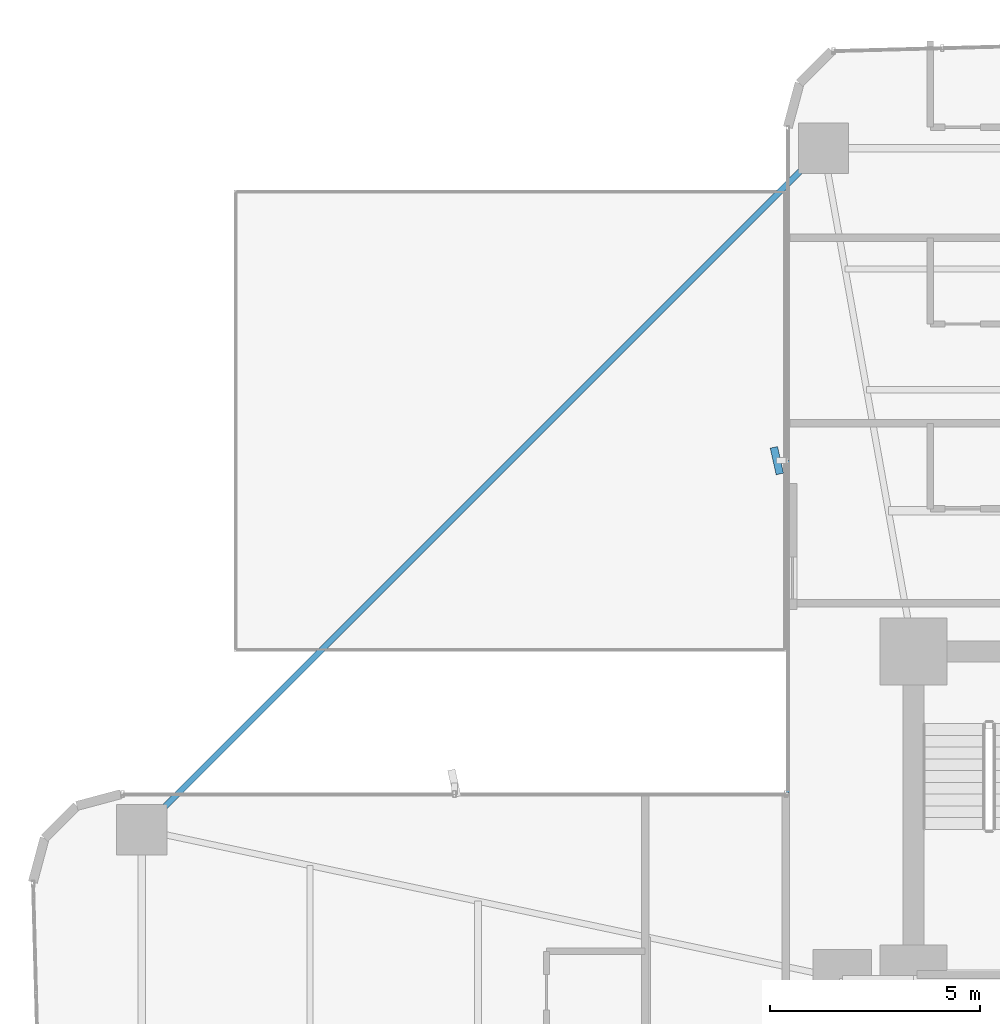
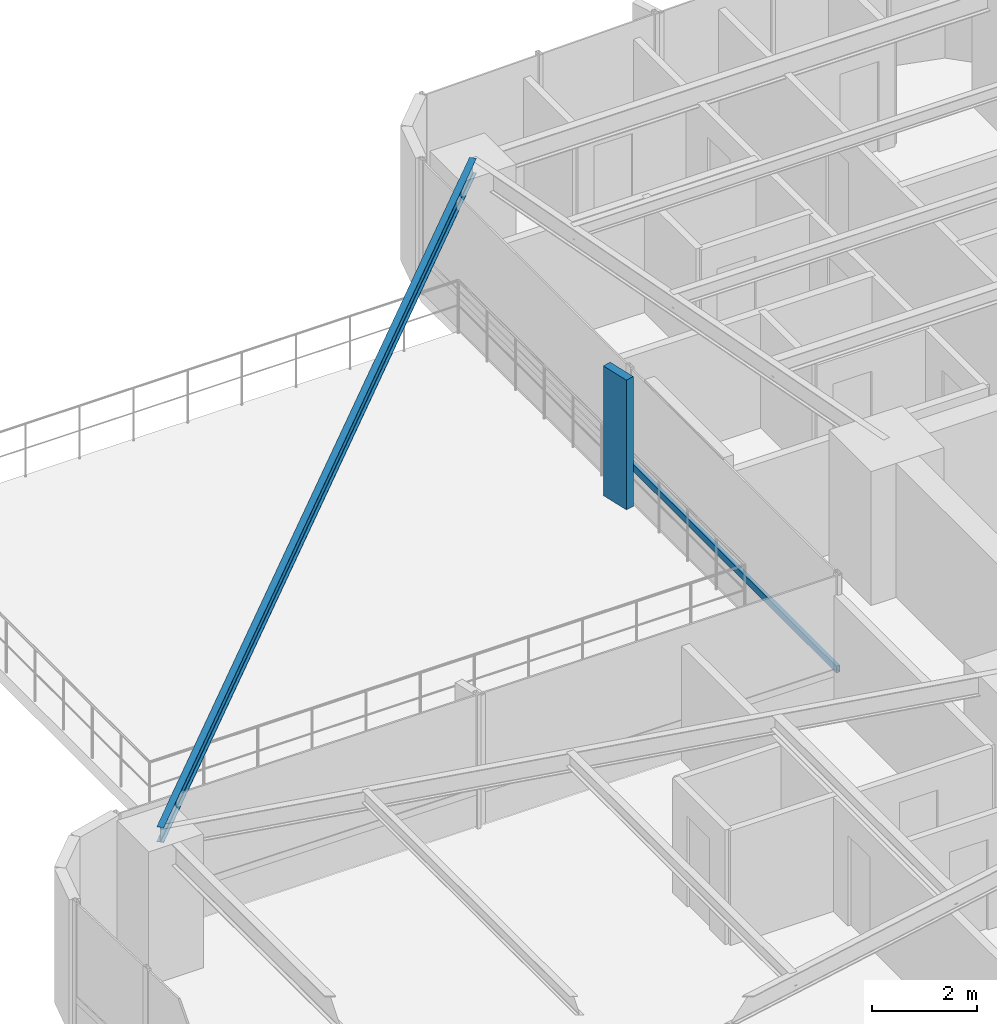
# One storey, part 16 of 27: 2 members, 1 beam, 1 element without a shape of its own.
"""IFC4 building model written with IfcOpenShell, lengths in metres."""

from ifc_helpers import new_model, si_unit, direction, frame, origin, origin_2d, place, context, subcontext, project, spatial, rectangle, hollow_rectangle, i_section, extrude, source, transform, mapped, material, material_profile, profile_set, type_object, element, aggregate, save


model = new_model("IFC4")

# Units and contexts
model_context = context("Model", 3, precision=1e-05, world=origin(), true_north=direction((0.0, 1.0)))
body_context = subcontext(model_context, "Body", "Model", "MODEL_VIEW")
ifc_project = project(units=[si_unit("LENGTHUNIT", "METRE"), si_unit("AREAUNIT", "SQUARE_METRE"), si_unit("VOLUMEUNIT", "CUBIC_METRE"), si_unit("PLANEANGLEUNIT", "RADIAN"), si_unit("MASSUNIT", "GRAM", prefix="KILO")], contexts=[model_context])

# Site, building, storey
site_placement = place(None, origin())
site = spatial("IfcSite", under=ifc_project, at=site_placement, CompositionType="ELEMENT")
building_placement = place(site_placement, origin())
building = spatial("IfcBuilding", under=site, at=building_placement, Name="Sahyath Konkavel Grand Hotel", CompositionType="ELEMENT")
storey_placement = place(building_placement, frame((0.0, 0.0, 23.10009765625)))
storey = spatial("IfcBuildingStorey", under=building, at=storey_placement, Name="L05", CompositionType="ELEMENT", Elevation=23.10009765625)

# Beam
ifc_material_1 = material(Name="Steel E350", Category="steel")
ifc_material_profile_1 = material_profile(ifc_material_1, i_section(OverallWidth=0.139892578125, OverallDepth=0.35009765625, WebThickness=0.008056640625, FlangeThickness=0.01416015625, FilletRadius=0.013916015625, at=origin_2d()), Name="ISMB 350")
ifc_profile_set_1 = profile_set([ifc_material_profile_1], Name="Steel E350")
beam_type = type_object("IfcBeamType", Name="BM-ISMB350", PredefinedType="BEAM", material=ifc_profile_set_1)
shared_shape_1 = source(origin(), body_context, "Body", "SweptSolid", [
    extrude(i_section(OverallWidth=0.139892578125, OverallDepth=0.35009765625, WebThickness=0.008056640625, FlangeThickness=0.01416015625, FilletRadius=0.013916015625, at=origin_2d()), origin(), (0.0, 0.0, 1.0), 22.98095703125),
])
beam_placement = place(storey_placement, frame((-5.949951171875, 22.199951171875, 2.934814453125), z_axis=(-0.707106781187, -0.707106781187, 0.0), x_axis=(0.707106781187, -0.707106781187, 0.0)))
element("IfcBeam", 1, at=beam_placement, inside=storey, type_object=beam_type, Name="L05 Re-Entrant Tie Beam NW", PredefinedType="BEAM", context=body_context, shape_type="MappedRepresentation", body=[
    mapped(shared_shape_1, transform((0.0, 0.0, 0.0), scale=1.0)),
])

# Curtain wall, members
ifc_material_2 = material(Name="Anodised Bronze Aluminium & Low-E Glazing", Category="aluminium")
curtain_wall_type = type_object("IfcCurtainWallType", Name="CW-ZONE1", PredefinedType="NOTDEFINED", material=ifc_material_2)
curtain_wall_placement = place(storey_placement, origin())
curtain_wall = element("IfcCurtainWall", 2, at=curtain_wall_placement, inside=storey, type_object=curtain_wall_type, Name="L05 Unitised Curtain Wall F15", PredefinedType="NOTDEFINED")
ifc_material_3 = material(Name="Warm Buff Sandstone Cladding on Concrete C50/60", Category="masonry")
ifc_material_profile_2 = material_profile(ifc_material_3, rectangle(XDim=0.179931640625, YDim=0.64990234375, at=origin_2d()), Name="FIN 180x650")
ifc_profile_set_2 = profile_set([ifc_material_profile_2], Name="Warm Buff Sandstone Cladding on Concrete C50/60")
member_type_1 = type_object("IfcMemberType", Name="FIN-SANDSTONE-650", PredefinedType="MULLION", material=ifc_profile_set_2)
shared_shape_2 = source(origin(), body_context, "Body", "SweptSolid", [
    extrude(rectangle(XDim=0.179931640625, YDim=0.64990234375, at=origin_2d()), origin(), (0.0, 0.0, 1.0), 3.010009765625),
])
member_1_placement = place(storey_placement, frame((-7.06005859375, 14.75, 0.0498046875), z_axis=(0.0, 0.0, 1.0), x_axis=(0.975419299024, 0.220356962886, 0.0)))
member_1 = element("IfcMember", 3, at=member_1_placement, type_object=member_type_1, Name="L05 Sandstone Vertical Solar Fin FIN F15-1", PredefinedType="MULLION", context=body_context, shape_type="MappedRepresentation", body=[
    mapped(shared_shape_2, transform((0.0, 0.0, 0.0), scale=1.0)),
])
ifc_material_4 = material(Name="Anodised Bronze Aluminium", Category="aluminium")
ifc_material_profile_3 = material_profile(ifc_material_4, hollow_rectangle(XDim=0.080078125, YDim=0.159912109375, WallThickness=0.006103515625, at=origin_2d()), Name="RHS 160x80x6")
ifc_profile_set_3 = profile_set([ifc_material_profile_3], Name="Anodised Bronze Aluminium")
member_type_2 = type_object("IfcMemberType", Name="CW-TRN-160", PredefinedType="USERDEFINED", material=ifc_profile_set_3)
shared_shape_3 = source(origin(), body_context, "Body", "SweptSolid", [
    extrude(hollow_rectangle(XDim=0.080078125, YDim=0.159912109375, WallThickness=0.006103515625, at=origin_2d()), origin(), (0.0, 0.0, 1.0), 7.909912109375),
])
member_2_placement = place(storey_placement, frame((-6.800048828125, 14.75, 0.849853515625), z_axis=(0.0, -1.0, 0.0), x_axis=(1.0, 0.0, 0.0)))
member_2 = element("IfcMember", 4, at=member_2_placement, type_object=member_type_2, Name="L05 Curtain Wall Transom F15-1-spandrel", ObjectType="TRANSOM", PredefinedType="USERDEFINED", context=body_context, shape_type="MappedRepresentation", body=[
    mapped(shared_shape_3, transform((0.0, 0.0, 0.0), scale=1.0)),
])
aggregate(curtain_wall, [member_1, member_2])

save(model, "model.ifc")
